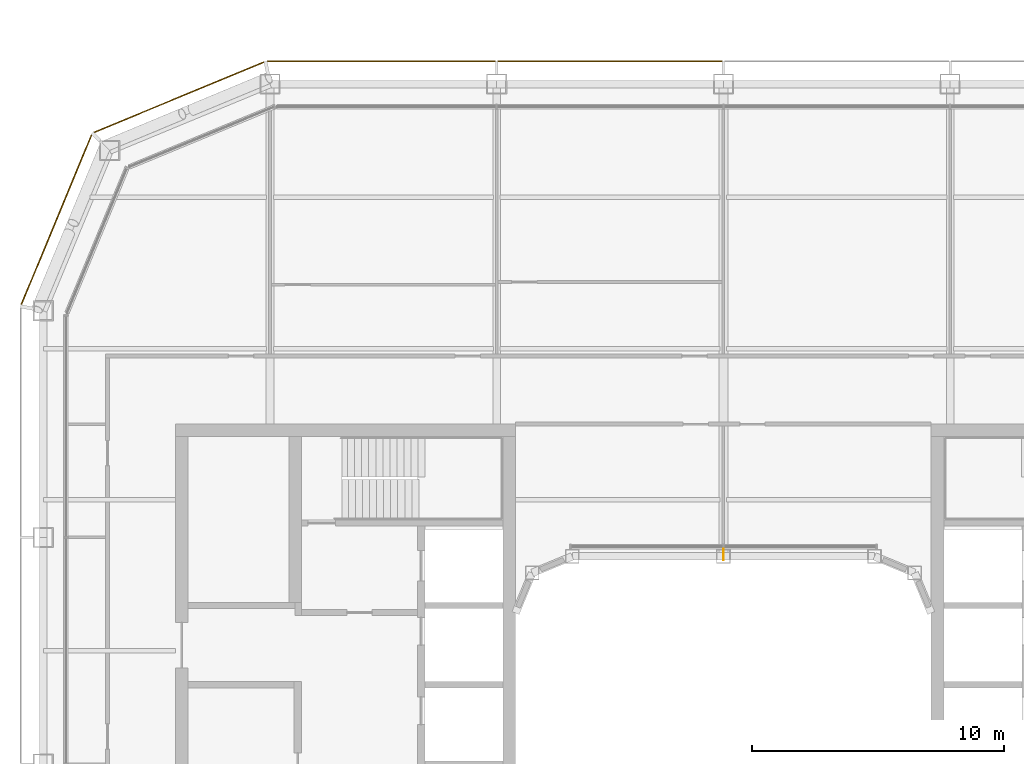
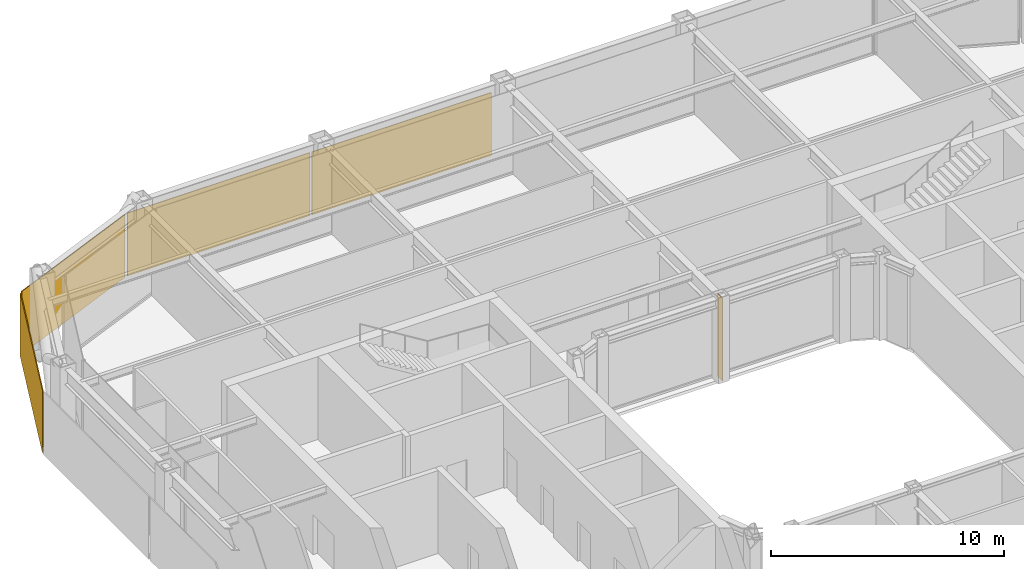
# One storey, part 21 of 23: 4 coverings, 1 shading device.
"""IFC4 building model written with IfcOpenShell, lengths in metres."""

from ifc_helpers import new_model, si_unit, direction, frame, origin, origin_2d, place, context, subcontext, project, spatial, rectangle, extrude, material, layer, layer_set, type_object, element, save


model = new_model("IFC4")

# Units and contexts
model_context = context("Model", 3, precision=1e-05, world=origin(), true_north=direction((0.0, 1.0)))
body_context = subcontext(model_context, "Body", "Model", "MODEL_VIEW")
ifc_project = project(units=[si_unit("LENGTHUNIT", "METRE"), si_unit("AREAUNIT", "SQUARE_METRE"), si_unit("VOLUMEUNIT", "CUBIC_METRE"), si_unit("PLANEANGLEUNIT", "RADIAN"), si_unit("MASSUNIT", "GRAM", prefix="KILO")], contexts=[model_context])

# Site, building, storey
site_placement = place(None, origin())
site = spatial("IfcSite", under=ifc_project, at=site_placement, CompositionType="ELEMENT")
building_placement = place(site_placement, origin())
building = spatial("IfcBuilding", under=site, at=building_placement, Name="Siwar Civic Tower", CompositionType="ELEMENT")
storey_placement = place(building_placement, frame((0.0, 0.0, 260.199951171875)))
storey = spatial("IfcBuildingStorey", under=building, at=storey_placement, Name="L56", CompositionType="ELEMENT", Elevation=260.199951171875)

# Shading device
ifc_material_1 = material(Name="Aluminium 6063-T6", Category="aluminium")
ifc_layer_1 = layer(ifc_material_1, 0.02001953125)
ifc_layer_set_1 = layer_set([ifc_layer_1], Name="Aluminium 6063-T6")
shading_device_type = type_object("IfcShadingDeviceType", Name="ENV-FIN", PredefinedType="JALOUSIE", material=ifc_layer_set_1)
shading_device_placement = place(storey_placement, frame((0.0, 8.320068359375, 0.0), z_axis=(0.0, 0.0, 1.0), x_axis=(-1.0, 0.0, 0.0)))
element("IfcShadingDevice", 1, at=shading_device_placement, inside=storey, type_object=shading_device_type, Name="SUNSHADE fin WN 1", PredefinedType="JALOUSIE", context=body_context, shape_type="SweptSolid", body=[
    extrude(rectangle(XDim=0.02001953125, YDim=0.449951171875, at=origin_2d()), origin(), (0.0, 0.0, 1.0), 4.35009765625),
])

# Coverings
ifc_material_2 = material(Name="Perforated aluminium cassette, pale metal", Category="aluminium")
ifc_layer_2 = layer(ifc_material_2, 0.0400390625)
ifc_layer_set_2 = layer_set([ifc_layer_2], Name="Perforated aluminium cassette, pale metal")
covering_type_1 = type_object("IfcCoveringType", Name="ENV-OUTER SKIN OS-1", PredefinedType="CLADDING", material=ifc_layer_set_2)
covering_1_placement = place(storey_placement, frame((-4.5, 27.89990234375, -0.14990234375), z_axis=(0.0, 0.0, 1.0), x_axis=(-1.0, 0.0, 0.0)))
element("IfcCovering", 2, at=covering_1_placement, inside=storey, type_object=covering_type_1, Name="OUTER SKIN OS-1 N 3", PredefinedType="CLADDING", context=body_context, shape_type="SweptSolid", body=[
    extrude(rectangle(XDim=8.89990234375, YDim=0.0400390625, at=origin_2d()), origin(), (0.0, 0.0, 1.0), 3.300048828125),
])
covering_2_placement = place(storey_placement, frame((-13.57958984375, 27.89990234375, -0.14990234375), z_axis=(0.0, 0.0, 1.0), x_axis=(-1.0, 0.0, 0.0)))
element("IfcCovering", 3, at=covering_2_placement, inside=storey, type_object=covering_type_1, Name="OUTER SKIN OS-1 N 4", PredefinedType="CLADDING", context=body_context, shape_type="SweptSolid", body=[
    extrude(rectangle(XDim=9.05908203125, YDim=0.0400390625, at=origin_2d()), origin(), (0.0, 0.0, 1.0), 3.300048828125),
])
covering_3_placement = place(storey_placement, frame((-21.615966796875, 26.476318359375, -0.14990234375), z_axis=(0.0, 0.0, 1.0), x_axis=(-0.923879532511, -0.382683432365, 0.0)))
element("IfcCovering", 4, at=covering_3_placement, inside=storey, type_object=covering_type_1, Name="OUTER SKIN OS-1 NW1 1", PredefinedType="CLADDING", context=body_context, shape_type="SweptSolid", body=[
    extrude(rectangle(XDim=7.300048828125, YDim=0.0400390625, at=origin_2d()), origin(), (0.0, 0.0, 1.0), 3.300048828125),
])
ifc_material_3 = material(Name="Perforated aluminium cassette, pale metal", Category="aluminium")
ifc_layer_3 = layer(ifc_material_3, 0.044921875)
ifc_layer_set_3 = layer_set([ifc_layer_3], Name="Perforated aluminium cassette, pale metal")
covering_type_2 = type_object("IfcCoveringType", Name="ENV-OUTER SKIN OS-2", PredefinedType="CLADDING", material=ifc_layer_set_3)
covering_4_placement = place(storey_placement, frame((-26.476318359375, 21.615966796875, -0.14990234375), z_axis=(0.0, 0.0, 1.0), x_axis=(-0.382683432365, -0.923879532511, 0.0)))
element("IfcCovering", 5, at=covering_4_placement, inside=storey, type_object=covering_type_2, Name="OUTER SKIN OS-2 NW2 1", PredefinedType="CLADDING", context=body_context, shape_type="SweptSolid", body=[
    extrude(rectangle(XDim=7.300048828125, YDim=0.044921875, at=origin_2d()), origin(), (0.0, 0.0, 1.0), 3.300048828125),
])

save(model, "model.ifc")
